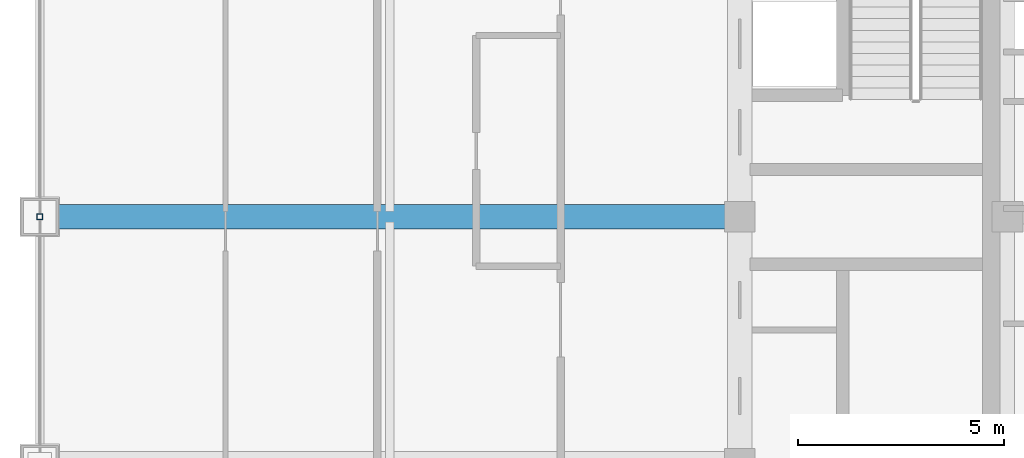
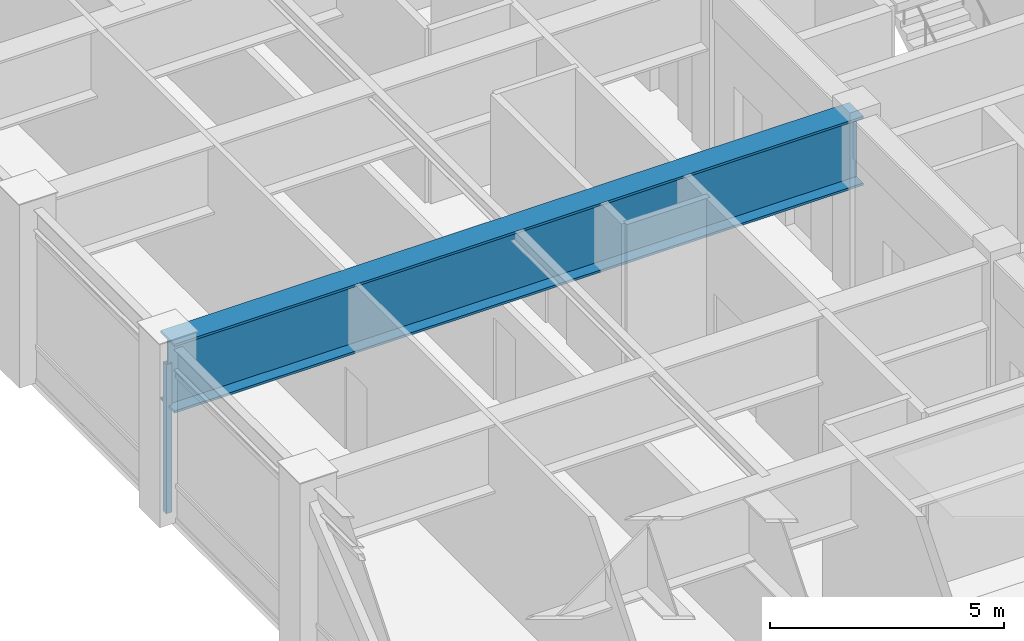
# One storey, part 6 of 31: 1 beam, 1 member, 1 element without a shape of its own.
"""IFC4 building model written with IfcOpenShell, lengths in metres."""

from ifc_helpers import new_model, si_unit, direction, frame, origin, origin_2d, place, context, subcontext, project, spatial, hollow_rectangle, i_section, extrude, source, transform, mapped, material, material_profile, profile_set, type_object, element, aggregate, save


model = new_model("IFC4")

# Units and contexts
model_context = context("Model", 3, precision=1e-05, world=origin(), true_north=direction((0.0, 1.0)))
body_context = subcontext(model_context, "Body", "Model", "MODEL_VIEW")
ifc_project = project(units=[si_unit("LENGTHUNIT", "METRE"), si_unit("AREAUNIT", "SQUARE_METRE"), si_unit("VOLUMEUNIT", "CUBIC_METRE"), si_unit("PLANEANGLEUNIT", "RADIAN"), si_unit("MASSUNIT", "GRAM", prefix="KILO")], contexts=[model_context])

# Site, building, storey
site_placement = place(None, origin())
site = spatial("IfcSite", under=ifc_project, at=site_placement, CompositionType="ELEMENT")
building_placement = place(site_placement, origin())
building = spatial("IfcBuilding", under=site, at=building_placement, Name="Khorayat Bourse Tower", CompositionType="ELEMENT")
storey_placement = place(building_placement, frame((0.0, 0.0, 321.5)))
storey = spatial("IfcBuildingStorey", under=building, at=storey_placement, Name="L76", CompositionType="ELEMENT", Elevation=321.5)

# Beam
ifc_material_1 = material(Name="Steel EN 10025-4 S460M", Category="steel")
ifc_material_profile_1 = material_profile(ifc_material_1, i_section(OverallWidth=0.60009765625, OverallDepth=1.800048828125, WebThickness=0.031982421875, FlangeThickness=0.06005859375, at=origin_2d()), Name="PG 1800x600x32x60")
ifc_profile_set_1 = profile_set([ifc_material_profile_1], Name="Steel EN 10025-4 S460M")
beam_type = type_object("IfcBeamType", Name="BM-TR-1800", PredefinedType="BEAM", material=ifc_profile_set_1)
shared_shape_1 = source(origin(), body_context, "Body", "SweptSolid", [
    extrude(i_section(OverallWidth=0.60009765625, OverallDepth=1.800048828125, WebThickness=0.031982421875, FlangeThickness=0.06005859375, at=origin_2d()), origin(), (0.0, 0.0, 1.0), 17.0),
])
beam_placement = place(storey_placement, frame((-28.0, 0.0, 3.639892578125), z_axis=(1.0, 0.0, 0.0), x_axis=(0.0, 1.0, 0.0)))
element("IfcBeam", 1, at=beam_placement, inside=storey, type_object=beam_type, Name="L76 BM-TR-1800 BM-L76-RADX-079", PredefinedType="BEAM", context=body_context, shape_type="MappedRepresentation", body=[
    mapped(shared_shape_1, transform((0.0, 0.0, 0.0), scale=1.0)),
])

# Curtain wall, member
ifc_material_2 = material(Name="Aluminium EN AW-6063 T6", Category="aluminium")
curtain_wall_type = type_object("IfcCurtainWallType", Name="CW-SYS-05", PredefinedType="NOTDEFINED", material=ifc_material_2)
curtain_wall_placement = place(storey_placement, origin())
curtain_wall = element("IfcCurtainWall", 2, at=curtain_wall_placement, inside=storey, type_object=curtain_wall_type, Name="L76 Curtain Wall CW-L76-W1", PredefinedType="NOTDEFINED")
ifc_material_profile_2 = material_profile(ifc_material_2, hollow_rectangle(XDim=0.139892578125, YDim=0.139892578125, WallThickness=0.006103515625, at=origin_2d()), Name="ALU 140x140x6")
ifc_profile_set_2 = profile_set([ifc_material_profile_2], Name="Aluminium EN AW-6063 T6")
member_type = type_object("IfcMemberType", Name="CWM-VERT-140", PredefinedType="MULLION", material=ifc_profile_set_2)
shared_shape_2 = source(origin(), body_context, "Body", "SweptSolid", [
    extrude(hollow_rectangle(XDim=0.139892578125, YDim=0.139892578125, WallThickness=0.006103515625, at=origin_2d()), origin(), (0.0, 0.0, 1.0), 3.889892578125),
])
member_placement = place(storey_placement, frame((-28.0, 0.0, 0.0), z_axis=(0.0, 0.0, 1.0), x_axis=(-1.0, 0.0, 0.0)))
member = element("IfcMember", 3, at=member_placement, type_object=member_type, Name="CW-L76-W1 Vertical Mullion 2", PredefinedType="MULLION", context=body_context, shape_type="MappedRepresentation", body=[
    mapped(shared_shape_2, transform((0.0, 0.0, 0.0), scale=1.0)),
])
aggregate(curtain_wall, [member])

save(model, "model.ifc")
